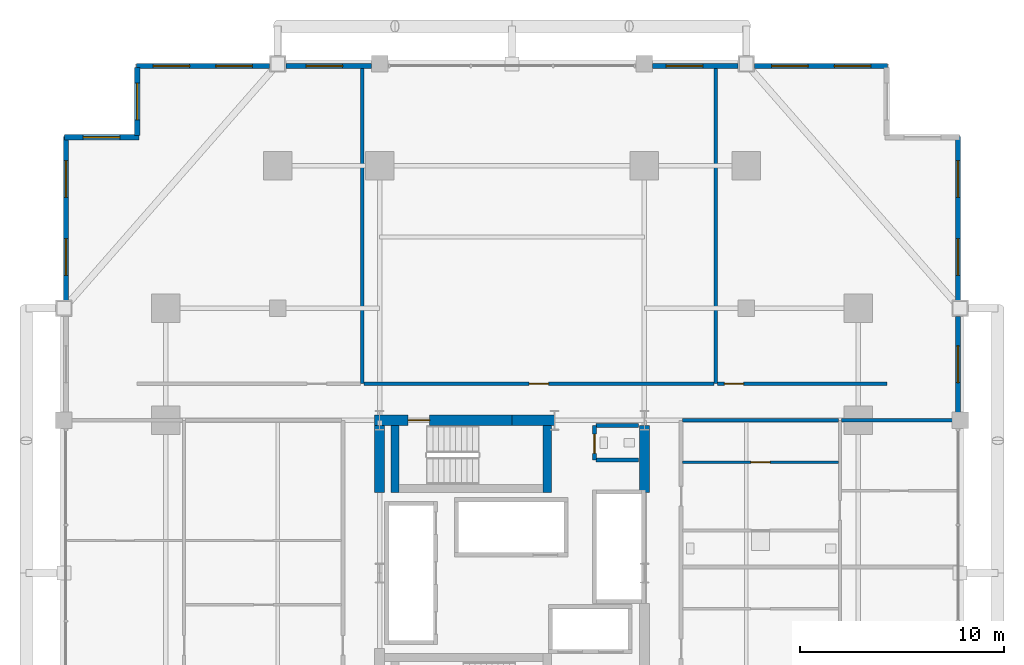
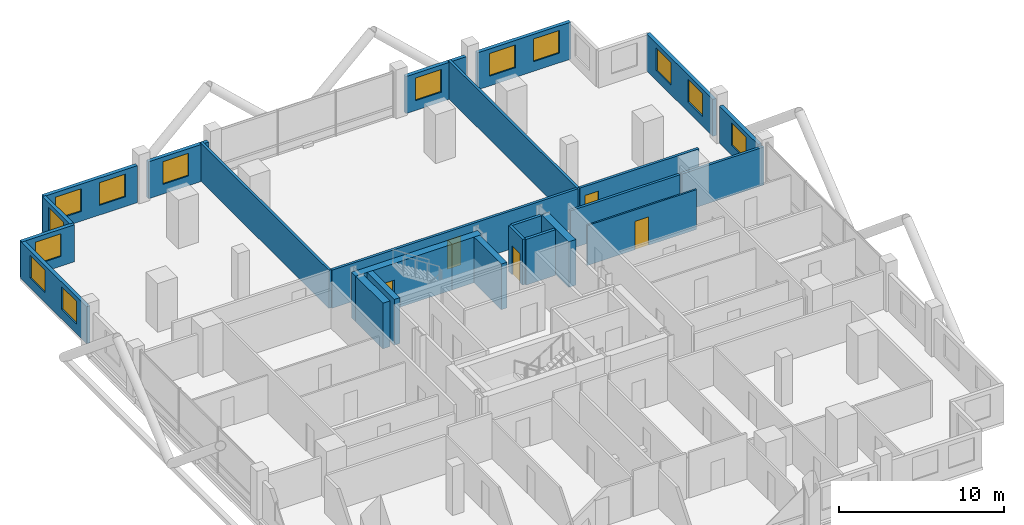
# One storey, part 24 of 27: 25 walls, 13 windows, 5 doors, 18 openings.
"""IFC4 building model written with IfcOpenShell, lengths in metres."""

from ifc_helpers import new_model, si_unit, direction, frame, frame_2d, origin, place, context, subcontext, project, spatial, rectangle, extrude, material, layer, layer_set, type_object, element, fill, save


model = new_model("IFC4")

# Units and contexts
model_context = context("Model", 3, precision=1e-05, world=origin(), true_north=direction((0.0, 1.0)))
body_context = subcontext(model_context, "Body", "Model", "MODEL_VIEW")
ifc_project = project(units=[si_unit("LENGTHUNIT", "METRE"), si_unit("AREAUNIT", "SQUARE_METRE"), si_unit("VOLUMEUNIT", "CUBIC_METRE"), si_unit("PLANEANGLEUNIT", "RADIAN"), si_unit("MASSUNIT", "GRAM", prefix="KILO")], contexts=[model_context])

# Site, building, storey
site_placement = place(None, origin())
site = spatial("IfcSite", under=ifc_project, at=site_placement, CompositionType="ELEMENT")
building_placement = place(site_placement, origin())
building = spatial("IfcBuilding", under=site, at=building_placement, Name="Barlavira Tower and Art Museum", CompositionType="ELEMENT")
storey_placement = place(building_placement, frame((0.0, 0.0, 72.0)))
storey = spatial("IfcBuildingStorey", under=building, at=storey_placement, Name="L17", CompositionType="ELEMENT", Elevation=72.0)

# Wall, opening, door
ifc_material_1 = material(Name="Gypsum acoustic stud partition", Category="gypsum")
ifc_layer_1 = layer(ifc_material_1, 0.1201171875, Name="Gypsum acoustic stud partition")
ifc_layer_set_1 = layer_set([ifc_layer_1], Name="Gypsum acoustic stud partition")
wall_type_1 = type_object("IfcWallType", Name="Apartment Internal Acoustic Partition 120", PredefinedType="PARTITIONING", material=ifc_layer_set_1)
wall_1_placement = place(storey_placement, frame((8.3798828125, 5.449951171875, 0.0), z_axis=(0.0, 0.0, 1.0), x_axis=(1.0, 0.0, 0.0)))
wall_1 = element("IfcWall", 1, at=wall_1_placement, inside=storey, type_object=wall_type_1, Name="L17 Partition Wall 52", PredefinedType="PARTITIONING", context=body_context, shape_type="SweptSolid", body=[
    extrude(rectangle(XDim=7.64013671875, YDim=0.1201171875, at=frame_2d((3.820068359375, 0.0))), origin(), (0.0, 0.0, 1.0), 2.947998046875),
])
opening_1_placement = place(wall_1_placement, frame((3.344970703125, 0.0, 0.0)))
opening_1 = element("IfcOpeningElement", 2, at=opening_1_placement, cuts=wall_1, Name="Opening D-02", PredefinedType="OPENING", context=body_context, shape_type="SweptSolid", body=[
    extrude(rectangle(XDim=0.949951171875, YDim=2.10009765625, at=frame_2d((0.47509765625, 1.050048828125))), frame((0.0, 0.070068359375, 0.0), z_axis=(0.0, -1.0, 0.0), x_axis=(1.0, 0.0, 0.0)), (0.0, 0.0, 1.0), 0.14013671875),
])
ifc_material_2 = material(Name="Engineered coastal hardwood", Category="wood")
door_type_1 = type_object("IfcDoorType", Name="Living and Salon Glazed-Leaf Door 950x2100", OperationType="NOTDEFINED", PredefinedType="DOOR", material=ifc_material_2)
door_1_placement = place(opening_1_placement, origin())
door_1 = element("IfcDoor", 3, at=door_1_placement, inside=storey, type_object=door_type_1, Name="Apartment E2 Kitchen Door", OperationType="SINGLE_SWING_LEFT", OverallHeight=2.10009765625, OverallWidth=0.949951171875, PredefinedType="DOOR", context=body_context, shape_type="SweptSolid", body=[
    extrude(rectangle(XDim=0.949951171875, YDim=2.10009765625, at=frame_2d((0.47509765625, 1.050048828125))), frame((0.0, 0.02490234375, 0.0), z_axis=(0.0, -1.0, 0.0), x_axis=(1.0, 0.0, 0.0)), (0.0, 0.0, 1.0), 0.050048828125),
])
fill(opening_1, door_1)

ifc_material_3 = material(Name="Concrete C60", Category="concrete")
ifc_layer_2 = layer(ifc_material_3, 0.5, Name="Concrete C60")
ifc_layer_set_2 = layer_set([ifc_layer_2], Name="Concrete C60")
wall_type_2 = type_object("IfcWallType", Name="Core Structural Shear Wall 500 Concrete C60", PredefinedType="SHEAR", material=ifc_layer_set_2)
wall_2_placement = place(storey_placement, frame((-6.75, 7.5, 0.0), z_axis=(0.0, 0.0, 1.0), x_axis=(1.0, 0.0, 0.0)))
wall_2 = element("IfcWall", 4, at=wall_2_placement, inside=storey, type_object=wall_type_2, Name="L17 Core Shear Wall CS-NW", PredefinedType="SHEAR", context=body_context, shape_type="SweptSolid", body=[
    extrude(rectangle(XDim=6.75, YDim=0.5, at=frame_2d((3.375, 0.0))), origin(), (0.0, 0.0, 1.0), 3.3798828125),
])
opening_2_placement = place(wall_2_placement, frame((1.64990234375, 0.0, 0.0)))
opening_2 = element("IfcOpeningElement", 5, at=opening_2_placement, cuts=wall_2, Name="Opening FD-90", PredefinedType="OPENING", context=body_context, shape_type="SweptSolid", body=[
    extrude(rectangle(XDim=1.050048828125, YDim=2.14990234375, at=frame_2d((0.52490234375, 1.074951171875))), frame((0.0, 0.260009765625, 0.0), z_axis=(0.0, -1.0, 0.0), x_axis=(1.0, 0.0, 0.0)), (0.0, 0.0, 1.0), 0.52001953125),
])
ifc_material_4 = material(Name="Brushed stainless steel", Category="steel")
door_type_2 = type_object("IfcDoorType", Name="Stair and Refuge Fire Door 1050x2150 FD90S", OperationType="NOTDEFINED", PredefinedType="DOOR", material=ifc_material_4)
door_2_placement = place(opening_2_placement, origin())
door_2 = element("IfcDoor", 6, at=door_2_placement, inside=storey, type_object=door_type_2, Name="L17 Stair ST-T2 Fire Door", OperationType="SINGLE_SWING_LEFT", OverallHeight=2.14990234375, OverallWidth=1.050048828125, PredefinedType="DOOR", context=body_context, shape_type="SweptSolid", body=[
    extrude(rectangle(XDim=1.050048828125, YDim=2.14990234375, at=frame_2d((0.52490234375, 1.074951171875))), frame((0.0, 0.02490234375, 0.0), z_axis=(0.0, -1.0, 0.0), x_axis=(1.0, 0.0, 0.0)), (0.0, 0.0, 1.0), 0.050048828125),
])
fill(opening_2, door_2)

# Walls
wall_3_placement = place(storey_placement, frame((0.0, 7.5, 0.0), z_axis=(0.0, 0.0, 1.0), x_axis=(1.0, 0.0, 0.0)))
element("IfcWall", 7, at=wall_3_placement, inside=storey, type_object=wall_type_2, Name="L17 Core Shear Wall CS-EN", PredefinedType="SHEAR", context=body_context, shape_type="SweptSolid", body=[
    extrude(rectangle(XDim=2.080078125, YDim=0.5, at=frame_2d((1.0400390625, 0.0))), origin(), (0.0, 0.0, 1.0), 3.3798828125),
])
for number, where, z_axis, x_axis, name in (
    (8, (-6.5, 3.949951171875, 0.0), (0.0, 0.0, 1.0), (0.0, 1.0, 0.0), "L17 Core Shear Wall CS-W2"),
    (9, (6.5, 3.949951171875, 0.0), (0.0, 0.0, 1.0), (0.0, 1.0, 0.0), "L17 Core Shear Wall CS-E2"),
):
    element("IfcWall", number, at=place(storey_placement, frame(where, z_axis=z_axis, x_axis=x_axis)), inside=storey, type_object=wall_type_2, Name=name, PredefinedType="SHEAR", context=body_context, shape_type="SweptSolid", body=[
        extrude(rectangle(XDim=3.300048828125, YDim=0.5, at=frame_2d((1.64990234375, 0.0))), origin(), (0.0, 0.0, 1.0), 3.3798828125),
    ])

# Wall, opening, door
ifc_material_5 = material(Name="Autoclaved aerated concrete masonry", Category="masonry")
ifc_layer_3 = layer(ifc_material_5, 0.199951171875, Name="Autoclaved aerated concrete masonry")
ifc_layer_set_3 = layer_set([ifc_layer_3], Name="Autoclaved aerated concrete masonry")
wall_type_3 = type_object("IfcWallType", Name="Fire Compartment and Shaft Wall 200", PredefinedType="SOLIDWALL", material=ifc_layer_set_3)
wall_4_placement = place(storey_placement, frame((4.050048828125, 5.550048828125, 0.0), z_axis=(0.0, 0.0, 1.0), x_axis=(0.0, 1.0, 0.0)))
wall_4 = element("IfcWall", 10, at=wall_4_placement, inside=storey, type_object=wall_type_3, Name="L17 Partition Wall 11", PredefinedType="SOLIDWALL", context=body_context, shape_type="SweptSolid", body=[
    extrude(rectangle(XDim=1.699951171875, YDim=0.199951171875, at=frame_2d((0.85009765625, 0.0))), origin(), (0.0, 0.0, 1.0), 3.3798828125),
])
opening_3_placement = place(wall_4_placement, frame((0.324951171875, 0.0, 0.0)))
opening_3 = element("IfcOpeningElement", 11, at=opening_3_placement, cuts=wall_4, Name="Opening FD-60", PredefinedType="OPENING", context=body_context, shape_type="SweptSolid", body=[
    extrude(rectangle(XDim=0.949951171875, YDim=2.14990234375, at=frame_2d((0.47509765625, 1.074951171875))), frame((0.0, 0.10986328125, 0.0), z_axis=(0.0, -1.0, 0.0), x_axis=(1.0, 0.0, 0.0)), (0.0, 0.0, 1.0), 0.219970703125),
])
door_type_3 = type_object("IfcDoorType", Name="Apartment Entrance and Riser Fire Door 950x2150 FD60S", OperationType="NOTDEFINED", PredefinedType="DOOR", material=ifc_material_4)
door_3_placement = place(opening_3_placement, origin())
door_3 = element("IfcDoor", 12, at=door_3_placement, inside=storey, type_object=door_type_3, Name="Core Accessible Washroom Door", OperationType="SINGLE_SWING_LEFT", OverallHeight=2.14990234375, OverallWidth=0.949951171875, PredefinedType="DOOR", context=body_context, shape_type="SweptSolid", body=[
    extrude(rectangle(XDim=0.949951171875, YDim=2.14990234375, at=frame_2d((0.47509765625, 1.074951171875))), frame((0.0, 0.02490234375, 0.0), z_axis=(0.0, -1.0, 0.0), x_axis=(1.0, 0.0, 0.0)), (0.0, 0.0, 1.0), 0.050048828125),
])
fill(opening_3, door_3)

# Walls
for number, where, z_axis, x_axis, name in (
    (13, (4.1298828125, 5.550048828125, 0.0), (0.0, 0.0, 1.0), (1.0, 0.0, 0.0), "L17 Partition Wall 53"),
    (14, (4.1298828125, 7.25, 0.0), (0.0, 0.0, 1.0), (1.0, 0.0, 0.0), "L17 Partition Wall 54"),
):
    element("IfcWall", number, at=place(storey_placement, frame(where, z_axis=z_axis, x_axis=x_axis)), inside=storey, type_object=wall_type_3, Name=name, PredefinedType="SOLIDWALL", context=body_context, shape_type="SweptSolid", body=[
        extrude(rectangle(XDim=2.070068359375, YDim=0.199951171875, at=frame_2d((1.03515625, 0.0))), origin(), (0.0, 0.0, 1.0), 3.3798828125),
    ])
ifc_layer_4 = layer(ifc_material_1, 0.179931640625, Name="Gypsum acoustic stud partition")
ifc_layer_set_4 = layer_set([ifc_layer_4], Name="Gypsum acoustic stud partition")
wall_type_4 = type_object("IfcWallType", Name="Inter-Tenancy Party Partition Wall 180", PredefinedType="PARTITIONING", material=ifc_layer_set_4)
for number, where, z_axis, x_axis, name in (
    (15, (-7.35009765625, 9.300048828125, 0.0), (0.0, 0.0, 1.0), (0.0, 1.0, 0.0), "L17 Partition Wall 6"),
    (16, (10.0, 9.300048828125, 0.0), (0.0, 0.0, 1.0), (0.0, 1.0, 0.0), "L17 Partition Wall 15"),
):
    element("IfcWall", number, at=place(storey_placement, frame(where, z_axis=z_axis, x_axis=x_axis)), inside=storey, type_object=wall_type_4, Name=name, PredefinedType="PARTITIONING", context=body_context, shape_type="SweptSolid", body=[
        extrude(rectangle(XDim=15.599853515625, YDim=0.179931640625, at=frame_2d((7.7998046875, 0.0))), origin(), (0.0, 0.0, 1.0), 2.81591796875),
    ])
wall_5_placement = place(storey_placement, frame((8.3798828125, 7.5, 0.0), z_axis=(0.0, 0.0, 1.0), x_axis=(1.0, 0.0, 0.0)))
element("IfcWall", 17, at=wall_5_placement, inside=storey, type_object=wall_type_4, Name="L17 Partition Wall 57", PredefinedType="PARTITIONING", context=body_context, shape_type="SweptSolid", body=[
    extrude(rectangle(XDim=7.64013671875, YDim=0.179931640625, at=frame_2d((3.820068359375, 0.0))), origin(), (0.0, 0.0, 1.0), 2.81591796875),
])
wall_6_placement = place(storey_placement, frame((16.179931640625, 7.5, 0.0), z_axis=(0.0, 0.0, 1.0), x_axis=(1.0, 0.0, 0.0)))
element("IfcWall", 18, at=wall_6_placement, inside=storey, type_object=wall_type_4, Name="L17 Partition Wall 58", PredefinedType="PARTITIONING", context=body_context, shape_type="SweptSolid", body=[
    extrude(rectangle(XDim=5.719970703125, YDim=0.179931640625, at=frame_2d((2.85986328125, 0.0))), origin(), (0.0, 0.0, 1.0), 2.81591796875),
])

# Wall, opening, door
wall_7_placement = place(storey_placement, frame((-7.27001953125, 9.300048828125, 0.0), z_axis=(0.0, 0.0, 1.0), x_axis=(1.0, 0.0, 0.0)))
wall_7 = element("IfcWall", 19, at=wall_7_placement, inside=storey, type_object=wall_type_4, Name="L17 Partition Wall 60", PredefinedType="PARTITIONING", context=body_context, shape_type="SweptSolid", body=[
    extrude(rectangle(XDim=17.18994140625, YDim=0.179931640625, at=frame_2d((8.594970703125, 0.0))), origin(), (0.0, 0.0, 1.0), 2.81591796875),
])
opening_4_placement = place(wall_7_placement, frame((8.114990234375, 0.0, 0.0)))
opening_4 = element("IfcOpeningElement", 20, at=opening_4_placement, cuts=wall_7, Name="Opening FD-60", PredefinedType="OPENING", context=body_context, shape_type="SweptSolid", body=[
    extrude(rectangle(XDim=0.949951171875, YDim=2.14990234375, at=frame_2d((0.47509765625, 1.074951171875))), frame((0.0, 0.10009765625, 0.0), z_axis=(0.0, -1.0, 0.0), x_axis=(1.0, 0.0, 0.0)), (0.0, 0.0, 1.0), 0.199951171875),
])
door_4_placement = place(opening_4_placement, origin())
door_4 = element("IfcDoor", 21, at=door_4_placement, inside=storey, type_object=door_type_3, Name="Private Coastal Dining Salon Door", OperationType="SINGLE_SWING_RIGHT", OverallHeight=2.14990234375, OverallWidth=0.949951171875, PredefinedType="DOOR", context=body_context, shape_type="SweptSolid", body=[
    extrude(rectangle(XDim=0.949951171875, YDim=2.14990234375, at=frame_2d((0.47509765625, 1.074951171875))), frame((0.0, 0.02490234375, 0.0), z_axis=(0.0, -1.0, 0.0), x_axis=(1.0, 0.0, 0.0)), (0.0, 0.0, 1.0), 0.050048828125),
])
fill(opening_4, door_4)

wall_8_placement = place(storey_placement, frame((10.080078125, 9.300048828125, 0.0), z_axis=(0.0, 0.0, 1.0), x_axis=(1.0, 0.0, 0.0)))
wall_8 = element("IfcWall", 22, at=wall_8_placement, inside=storey, type_object=wall_type_4, Name="L17 Partition Wall 61", PredefinedType="PARTITIONING", context=body_context, shape_type="SweptSolid", body=[
    extrude(rectangle(XDim=8.31982421875, YDim=0.179931640625, at=frame_2d((4.159912109375, 0.0))), origin(), (0.0, 0.0, 1.0), 2.81591796875),
])
opening_5_placement = place(wall_8_placement, frame((0.344970703125, 0.0, 0.0)))
opening_5 = element("IfcOpeningElement", 23, at=opening_5_placement, cuts=wall_8, Name="Opening FD-60", PredefinedType="OPENING", context=body_context, shape_type="SweptSolid", body=[
    extrude(rectangle(XDim=0.949951171875, YDim=2.14990234375, at=frame_2d((0.47509765625, 1.074951171875))), frame((0.0, 0.10009765625, 0.0), z_axis=(0.0, -1.0, 0.0), x_axis=(1.0, 0.0, 0.0)), (0.0, 0.0, 1.0), 0.199951171875),
])
door_5_placement = place(opening_5_placement, origin())
door_5 = element("IfcDoor", 24, at=door_5_placement, inside=storey, type_object=door_type_3, Name="Shared Catering Kitchen Door", OperationType="SINGLE_SWING_LEFT", OverallHeight=2.14990234375, OverallWidth=0.949951171875, PredefinedType="DOOR", context=body_context, shape_type="SweptSolid", body=[
    extrude(rectangle(XDim=0.949951171875, YDim=2.14990234375, at=frame_2d((0.47509765625, 1.074951171875))), frame((0.0, 0.02490234375, 0.0), z_axis=(0.0, -1.0, 0.0), x_axis=(1.0, 0.0, 0.0)), (0.0, 0.0, 1.0), 0.050048828125),
])
fill(opening_5, door_5)

# Wall, openings, windows
ifc_material_6 = material(Name="Precast concrete C40", Category="concrete")
ifc_layer_5 = layer(ifc_material_6, 0.25, Name="Precast concrete C40")
ifc_layer_set_5 = layer_set([ifc_layer_5], Name="Precast concrete C40")
wall_type_5 = type_object("IfcWallType", Name="Notched Corner Spandrel Wall 250 Precast Concrete C40", PredefinedType="SOLIDWALL", material=ifc_layer_set_5)
wall_9_placement = place(storey_placement, frame((18.425048828125, 24.89990234375, 0.0), z_axis=(0.0, 0.0, 1.0), x_axis=(-1.0, 0.0, 0.0)))
wall_9 = element("IfcWall", 25, at=wall_9_placement, inside=storey, type_object=wall_type_5, Name="L17 Coastal Facade Pier Wall CW1-L17-N-1", PredefinedType="SOLIDWALL", context=body_context, shape_type="SweptSolid", body=[
    extrude(rectangle(XDim=6.530029296875, YDim=0.25, at=frame_2d((3.26513671875, 0.0))), origin(), (0.0, 0.0, 1.0), 2.736083984375),
])
opening_6_placement = place(wall_9_placement, frame((0.801025390625, 0.0, 0.719970703125)))
opening_6 = element("IfcOpeningElement", 26, at=opening_6_placement, cuts=wall_9, Name="Opening WN-01", PredefinedType="OPENING", context=body_context, shape_type="SweptSolid", body=[
    extrude(rectangle(XDim=1.800048828125, YDim=1.679931640625, at=frame_2d((0.89990234375, 0.83984375))), frame((0.0, 0.135009765625, 0.0), z_axis=(0.0, -1.0, 0.0), x_axis=(1.0, 0.0, 0.0)), (0.0, 0.0, 1.0), 0.27001953125),
])
opening_7_placement = place(wall_9_placement, frame((3.884033203125, 0.0, 0.719970703125)))
opening_7 = element("IfcOpeningElement", 27, at=opening_7_placement, cuts=wall_9, Name="Opening WN-01", PredefinedType="OPENING", context=body_context, shape_type="SweptSolid", body=[
    extrude(rectangle(XDim=1.800048828125, YDim=1.679931640625, at=frame_2d((0.89990234375, 0.83984375))), frame((0.0, 0.135009765625, 0.0), z_axis=(0.0, -1.0, 0.0), x_axis=(1.0, 0.0, 0.0)), (0.0, 0.0, 1.0), 0.27001953125),
])
ifc_material_7 = material(Name="Low-iron coastal laminated glass", Category="glass")
window_type = type_object("IfcWindowType", Name="Recessed Notch Corner Punch Window 1800x1680", PartitioningType="SINGLE_PANEL", PredefinedType="WINDOW", material=ifc_material_7)
window_1_placement = place(opening_6_placement, origin())
window_1 = element("IfcWindow", 28, at=window_1_placement, inside=storey, type_object=window_type, Name="L17 Punched Facade Window EWP-CW1-L17-N-1-1", OverallHeight=1.679931640625, OverallWidth=1.800048828125, PartitioningType="SINGLE_PANEL", PredefinedType="WINDOW", context=body_context, shape_type="SweptSolid", body=[
    extrude(rectangle(XDim=1.800048828125, YDim=1.679931640625, at=frame_2d((0.89990234375, 0.83984375))), frame((0.0, 0.030029296875, 0.0), z_axis=(0.0, -1.0, 0.0), x_axis=(1.0, 0.0, 0.0)), (0.0, 0.0, 1.0), 0.06005859375),
])
fill(opening_6, window_1)
window_2_placement = place(opening_7_placement, origin())
window_2 = element("IfcWindow", 29, at=window_2_placement, inside=storey, type_object=window_type, Name="L17 Punched Facade Window EWP-CW1-L17-N-1-2", OverallHeight=1.679931640625, OverallWidth=1.800048828125, PartitioningType="SINGLE_PANEL", PredefinedType="WINDOW", context=body_context, shape_type="SweptSolid", body=[
    extrude(rectangle(XDim=1.800048828125, YDim=1.679931640625, at=frame_2d((0.89990234375, 0.83984375))), frame((0.0, 0.030029296875, 0.0), z_axis=(0.0, -1.0, 0.0), x_axis=(1.0, 0.0, 0.0)), (0.0, 0.0, 1.0), 0.06005859375),
])
fill(opening_7, window_2)

# Wall, opening, window
wall_10_placement = place(storey_placement, frame((11.10498046875, 24.89990234375, 0.0), z_axis=(0.0, 0.0, 1.0), x_axis=(-1.0, 0.0, 0.0)))
wall_10 = element("IfcWall", 30, at=wall_10_placement, inside=storey, type_object=wall_type_5, Name="L17 Coastal Facade Pier Wall CW1-L17-N-2", PredefinedType="SOLIDWALL", context=body_context, shape_type="SweptSolid", body=[
    extrude(rectangle(XDim=4.2099609375, YDim=0.25, at=frame_2d((2.10498046875, 0.0))), origin(), (0.0, 0.0, 1.0), 2.736083984375),
])
opening_8_placement = place(wall_10_placement, frame((1.735107421875, 0.0, 0.719970703125)))
opening_8 = element("IfcOpeningElement", 31, at=opening_8_placement, cuts=wall_10, Name="Opening WN-01", PredefinedType="OPENING", context=body_context, shape_type="SweptSolid", body=[
    extrude(rectangle(XDim=1.800048828125, YDim=1.679931640625, at=frame_2d((0.89990234375, 0.83984375))), frame((0.0, 0.135009765625, 0.0), z_axis=(0.0, -1.0, 0.0), x_axis=(1.0, 0.0, 0.0)), (0.0, 0.0, 1.0), 0.27001953125),
])
window_3_placement = place(opening_8_placement, origin())
window_3 = element("IfcWindow", 32, at=window_3_placement, inside=storey, type_object=window_type, Name="L17 Punched Facade Window EWP-CW1-L17-N-2-1", OverallHeight=1.679931640625, OverallWidth=1.800048828125, PartitioningType="SINGLE_PANEL", PredefinedType="WINDOW", context=body_context, shape_type="SweptSolid", body=[
    extrude(rectangle(XDim=1.800048828125, YDim=1.679931640625, at=frame_2d((0.89990234375, 0.83984375))), frame((0.0, 0.030029296875, 0.0), z_axis=(0.0, -1.0, 0.0), x_axis=(1.0, 0.0, 0.0)), (0.0, 0.0, 1.0), 0.06005859375),
])
fill(opening_8, window_3)

wall_11_placement = place(storey_placement, frame((-6.89501953125, 24.89990234375, 0.0), z_axis=(0.0, 0.0, 1.0), x_axis=(-1.0, 0.0, 0.0)))
wall_11 = element("IfcWall", 33, at=wall_11_placement, inside=storey, type_object=wall_type_5, Name="L17 Coastal Facade Pier Wall CW1-L17-N-4", PredefinedType="SOLIDWALL", context=body_context, shape_type="SweptSolid", body=[
    extrude(rectangle(XDim=4.2099609375, YDim=0.25, at=frame_2d((2.10498046875, 0.0))), origin(), (0.0, 0.0, 1.0), 2.736083984375),
])
opening_9_placement = place(wall_11_placement, frame((1.4150390625, 0.0, 0.719970703125)))
opening_9 = element("IfcOpeningElement", 34, at=opening_9_placement, cuts=wall_11, Name="Opening WN-01", PredefinedType="OPENING", context=body_context, shape_type="SweptSolid", body=[
    extrude(rectangle(XDim=1.800048828125, YDim=1.679931640625, at=frame_2d((0.89990234375, 0.83984375))), frame((0.0, 0.135009765625, 0.0), z_axis=(0.0, -1.0, 0.0), x_axis=(1.0, 0.0, 0.0)), (0.0, 0.0, 1.0), 0.27001953125),
])
window_4_placement = place(opening_9_placement, origin())
window_4 = element("IfcWindow", 35, at=window_4_placement, inside=storey, type_object=window_type, Name="L17 Punched Facade Window EWP-CW1-L17-N-4-1", OverallHeight=1.679931640625, OverallWidth=1.800048828125, PartitioningType="SINGLE_PANEL", PredefinedType="WINDOW", context=body_context, shape_type="SweptSolid", body=[
    extrude(rectangle(XDim=1.800048828125, YDim=1.679931640625, at=frame_2d((0.89990234375, 0.83984375))), frame((0.0, 0.030029296875, 0.0), z_axis=(0.0, -1.0, 0.0), x_axis=(1.0, 0.0, 0.0)), (0.0, 0.0, 1.0), 0.06005859375),
])
fill(opening_9, window_4)

# Wall, openings, windows
wall_12_placement = place(storey_placement, frame((-11.89501953125, 24.89990234375, 0.0), z_axis=(0.0, 0.0, 1.0), x_axis=(-1.0, 0.0, 0.0)))
wall_12 = element("IfcWall", 36, at=wall_12_placement, inside=storey, type_object=wall_type_5, Name="L17 Coastal Facade Pier Wall CW1-L17-N-5", PredefinedType="SOLIDWALL", context=body_context, shape_type="SweptSolid", body=[
    extrude(rectangle(XDim=6.530029296875, YDim=0.25, at=frame_2d((3.26513671875, 0.0))), origin(), (0.0, 0.0, 1.0), 2.736083984375),
])
opening_10_placement = place(wall_12_placement, frame((0.845947265625, 0.0, 0.719970703125)))
opening_10 = element("IfcOpeningElement", 37, at=opening_10_placement, cuts=wall_12, Name="Opening WN-01", PredefinedType="OPENING", context=body_context, shape_type="SweptSolid", body=[
    extrude(rectangle(XDim=1.800048828125, YDim=1.679931640625, at=frame_2d((0.89990234375, 0.83984375))), frame((0.0, 0.135009765625, 0.0), z_axis=(0.0, -1.0, 0.0), x_axis=(1.0, 0.0, 0.0)), (0.0, 0.0, 1.0), 0.27001953125),
])
opening_11_placement = place(wall_12_placement, frame((3.928955078125, 0.0, 0.719970703125)))
opening_11 = element("IfcOpeningElement", 38, at=opening_11_placement, cuts=wall_12, Name="Opening WN-01", PredefinedType="OPENING", context=body_context, shape_type="SweptSolid", body=[
    extrude(rectangle(XDim=1.800048828125, YDim=1.679931640625, at=frame_2d((0.89990234375, 0.83984375))), frame((0.0, 0.135009765625, 0.0), z_axis=(0.0, -1.0, 0.0), x_axis=(1.0, 0.0, 0.0)), (0.0, 0.0, 1.0), 0.27001953125),
])
window_5_placement = place(opening_10_placement, origin())
window_5 = element("IfcWindow", 39, at=window_5_placement, inside=storey, type_object=window_type, Name="L17 Punched Facade Window EWP-CW1-L17-N-5-1", OverallHeight=1.679931640625, OverallWidth=1.800048828125, PartitioningType="SINGLE_PANEL", PredefinedType="WINDOW", context=body_context, shape_type="SweptSolid", body=[
    extrude(rectangle(XDim=1.800048828125, YDim=1.679931640625, at=frame_2d((0.89990234375, 0.83984375))), frame((0.0, 0.030029296875, 0.0), z_axis=(0.0, -1.0, 0.0), x_axis=(1.0, 0.0, 0.0)), (0.0, 0.0, 1.0), 0.06005859375),
])
fill(opening_10, window_5)
window_6_placement = place(opening_11_placement, origin())
window_6 = element("IfcWindow", 40, at=window_6_placement, inside=storey, type_object=window_type, Name="L17 Punched Facade Window EWP-CW1-L17-N-5-2", OverallHeight=1.679931640625, OverallWidth=1.800048828125, PartitioningType="SINGLE_PANEL", PredefinedType="WINDOW", context=body_context, shape_type="SweptSolid", body=[
    extrude(rectangle(XDim=1.800048828125, YDim=1.679931640625, at=frame_2d((0.89990234375, 0.83984375))), frame((0.0, 0.030029296875, 0.0), z_axis=(0.0, -1.0, 0.0), x_axis=(1.0, 0.0, 0.0)), (0.0, 0.0, 1.0), 0.06005859375),
])
fill(opening_11, window_6)

wall_13_placement = place(storey_placement, frame((-21.89990234375, 21.425048828125, 0.0), z_axis=(0.0, 0.0, 1.0), x_axis=(0.0, -1.0, 0.0)))
wall_13 = element("IfcWall", 41, at=wall_13_placement, inside=storey, type_object=wall_type_5, Name="L17 Coastal Facade Pier Wall CW1-L17-W-1", PredefinedType="SOLIDWALL", context=body_context, shape_type="SweptSolid", body=[
    extrude(rectangle(XDim=8.030029296875, YDim=0.25, at=frame_2d((4.01513671875, 0.0))), origin(), (0.0, 0.0, 1.0), 2.736083984375),
])
opening_12_placement = place(wall_13_placement, frame((1.176025390625, 0.0, 0.719970703125)))
opening_12 = element("IfcOpeningElement", 42, at=opening_12_placement, cuts=wall_13, Name="Opening WN-01", PredefinedType="OPENING", context=body_context, shape_type="SweptSolid", body=[
    extrude(rectangle(XDim=1.800048828125, YDim=1.679931640625, at=frame_2d((0.89990234375, 0.83984375))), frame((0.0, 0.135009765625, 0.0), z_axis=(0.0, -1.0, 0.0), x_axis=(1.0, 0.0, 0.0)), (0.0, 0.0, 1.0), 0.27001953125),
])
opening_13_placement = place(wall_13_placement, frame((5.009033203125, 0.0, 0.719970703125)))
opening_13 = element("IfcOpeningElement", 43, at=opening_13_placement, cuts=wall_13, Name="Opening WN-01", PredefinedType="OPENING", context=body_context, shape_type="SweptSolid", body=[
    extrude(rectangle(XDim=1.800048828125, YDim=1.679931640625, at=frame_2d((0.89990234375, 0.83984375))), frame((0.0, 0.135009765625, 0.0), z_axis=(0.0, -1.0, 0.0), x_axis=(1.0, 0.0, 0.0)), (0.0, 0.0, 1.0), 0.27001953125),
])
window_7_placement = place(opening_12_placement, origin())
window_7 = element("IfcWindow", 44, at=window_7_placement, inside=storey, type_object=window_type, Name="L17 Punched Facade Window EWP-CW1-L17-W-1-1", OverallHeight=1.679931640625, OverallWidth=1.800048828125, PartitioningType="SINGLE_PANEL", PredefinedType="WINDOW", context=body_context, shape_type="SweptSolid", body=[
    extrude(rectangle(XDim=1.800048828125, YDim=1.679931640625, at=frame_2d((0.89990234375, 0.83984375))), frame((0.0, 0.030029296875, 0.0), z_axis=(0.0, -1.0, 0.0), x_axis=(1.0, 0.0, 0.0)), (0.0, 0.0, 1.0), 0.06005859375),
])
fill(opening_12, window_7)
window_8_placement = place(opening_13_placement, origin())
window_8 = element("IfcWindow", 45, at=window_8_placement, inside=storey, type_object=window_type, Name="L17 Punched Facade Window EWP-CW1-L17-W-1-2", OverallHeight=1.679931640625, OverallWidth=1.800048828125, PartitioningType="SINGLE_PANEL", PredefinedType="WINDOW", context=body_context, shape_type="SweptSolid", body=[
    extrude(rectangle(XDim=1.800048828125, YDim=1.679931640625, at=frame_2d((0.89990234375, 0.83984375))), frame((0.0, 0.030029296875, 0.0), z_axis=(0.0, -1.0, 0.0), x_axis=(1.0, 0.0, 0.0)), (0.0, 0.0, 1.0), 0.06005859375),
])
fill(opening_13, window_8)

# Wall, opening, window
wall_14_placement = place(storey_placement, frame((21.89990234375, 7.89501953125, 0.0), z_axis=(0.0, 0.0, 1.0), x_axis=(0.0, 1.0, 0.0)))
wall_14 = element("IfcWall", 46, at=wall_14_placement, inside=storey, type_object=wall_type_5, Name="L17 Coastal Facade Pier Wall CW1-L17-E-4", PredefinedType="SOLIDWALL", context=body_context, shape_type="SweptSolid", body=[
    extrude(rectangle(XDim=4.7099609375, YDim=0.25, at=frame_2d((2.35498046875, 0.0))), origin(), (0.0, 0.0, 1.0), 2.736083984375),
])
opening_14_placement = place(wall_14_placement, frame((1.455078125, 0.0, 0.719970703125)))
opening_14 = element("IfcOpeningElement", 47, at=opening_14_placement, cuts=wall_14, Name="Opening WN-01", PredefinedType="OPENING", context=body_context, shape_type="SweptSolid", body=[
    extrude(rectangle(XDim=1.800048828125, YDim=1.679931640625, at=frame_2d((0.89990234375, 0.83984375))), frame((0.0, 0.135009765625, 0.0), z_axis=(0.0, -1.0, 0.0), x_axis=(1.0, 0.0, 0.0)), (0.0, 0.0, 1.0), 0.27001953125),
])
window_9_placement = place(opening_14_placement, origin())
window_9 = element("IfcWindow", 48, at=window_9_placement, inside=storey, type_object=window_type, Name="L17 Punched Facade Window EWP-CW1-L17-E-4-1", OverallHeight=1.679931640625, OverallWidth=1.800048828125, PartitioningType="SINGLE_PANEL", PredefinedType="WINDOW", context=body_context, shape_type="SweptSolid", body=[
    extrude(rectangle(XDim=1.800048828125, YDim=1.679931640625, at=frame_2d((0.89990234375, 0.83984375))), frame((0.0, 0.030029296875, 0.0), z_axis=(0.0, -1.0, 0.0), x_axis=(1.0, 0.0, 0.0)), (0.0, 0.0, 1.0), 0.06005859375),
])
fill(opening_14, window_9)

# Wall, openings, windows
wall_15_placement = place(storey_placement, frame((21.89990234375, 13.39501953125, 0.0), z_axis=(0.0, 0.0, 1.0), x_axis=(0.0, 1.0, 0.0)))
wall_15 = element("IfcWall", 49, at=wall_15_placement, inside=storey, type_object=wall_type_5, Name="L17 Coastal Facade Pier Wall CW1-L17-E-5", PredefinedType="SOLIDWALL", context=body_context, shape_type="SweptSolid", body=[
    extrude(rectangle(XDim=8.030029296875, YDim=0.25, at=frame_2d((4.01513671875, 0.0))), origin(), (0.0, 0.0, 1.0), 2.736083984375),
])
opening_15_placement = place(wall_15_placement, frame((1.220947265625, 0.0, 0.719970703125)))
opening_15 = element("IfcOpeningElement", 50, at=opening_15_placement, cuts=wall_15, Name="Opening WN-01", PredefinedType="OPENING", context=body_context, shape_type="SweptSolid", body=[
    extrude(rectangle(XDim=1.800048828125, YDim=1.679931640625, at=frame_2d((0.89990234375, 0.83984375))), frame((0.0, 0.135009765625, 0.0), z_axis=(0.0, -1.0, 0.0), x_axis=(1.0, 0.0, 0.0)), (0.0, 0.0, 1.0), 0.27001953125),
])
opening_16_placement = place(wall_15_placement, frame((5.053955078125, 0.0, 0.719970703125)))
opening_16 = element("IfcOpeningElement", 51, at=opening_16_placement, cuts=wall_15, Name="Opening WN-01", PredefinedType="OPENING", context=body_context, shape_type="SweptSolid", body=[
    extrude(rectangle(XDim=1.800048828125, YDim=1.679931640625, at=frame_2d((0.89990234375, 0.83984375))), frame((0.0, 0.135009765625, 0.0), z_axis=(0.0, -1.0, 0.0), x_axis=(1.0, 0.0, 0.0)), (0.0, 0.0, 1.0), 0.27001953125),
])
window_10_placement = place(opening_15_placement, origin())
window_10 = element("IfcWindow", 52, at=window_10_placement, inside=storey, type_object=window_type, Name="L17 Punched Facade Window EWP-CW1-L17-E-5-1", OverallHeight=1.679931640625, OverallWidth=1.800048828125, PartitioningType="SINGLE_PANEL", PredefinedType="WINDOW", context=body_context, shape_type="SweptSolid", body=[
    extrude(rectangle(XDim=1.800048828125, YDim=1.679931640625, at=frame_2d((0.89990234375, 0.83984375))), frame((0.0, 0.030029296875, 0.0), z_axis=(0.0, -1.0, 0.0), x_axis=(1.0, 0.0, 0.0)), (0.0, 0.0, 1.0), 0.06005859375),
])
fill(opening_15, window_10)
window_11_placement = place(opening_16_placement, origin())
window_11 = element("IfcWindow", 53, at=window_11_placement, inside=storey, type_object=window_type, Name="L17 Punched Facade Window EWP-CW1-L17-E-5-2", OverallHeight=1.679931640625, OverallWidth=1.800048828125, PartitioningType="SINGLE_PANEL", PredefinedType="WINDOW", context=body_context, shape_type="SweptSolid", body=[
    extrude(rectangle(XDim=1.800048828125, YDim=1.679931640625, at=frame_2d((0.89990234375, 0.83984375))), frame((0.0, 0.030029296875, 0.0), z_axis=(0.0, -1.0, 0.0), x_axis=(1.0, 0.0, 0.0)), (0.0, 0.0, 1.0), 0.06005859375),
])
fill(opening_16, window_11)

# Wall, opening, window
wall_16_placement = place(storey_placement, frame((-18.39990234375, 24.820068359375, 0.0), z_axis=(0.0, 0.0, 1.0), x_axis=(0.0, -1.0, 0.0)))
wall_16 = element("IfcWall", 54, at=wall_16_placement, inside=storey, type_object=wall_type_5, Name="L17 Notch Corner Wall NW1", PredefinedType="SOLIDWALL", context=body_context, shape_type="SweptSolid", body=[
    extrude(rectangle(XDim=3.340087890625, YDim=0.25, at=frame_2d((1.669921875, 0.0))), origin(), (0.0, 0.0, 1.0), 2.736083984375),
])
opening_17_placement = place(wall_16_placement, frame((0.77001953125, 0.0, 0.719970703125)))
opening_17 = element("IfcOpeningElement", 55, at=opening_17_placement, cuts=wall_16, Name="Opening WN-01", PredefinedType="OPENING", context=body_context, shape_type="SweptSolid", body=[
    extrude(rectangle(XDim=1.800048828125, YDim=1.679931640625, at=frame_2d((0.89990234375, 0.83984375))), frame((0.0, 0.135009765625, 0.0), z_axis=(0.0, -1.0, 0.0), x_axis=(1.0, 0.0, 0.0)), (0.0, 0.0, 1.0), 0.27001953125),
])
window_12_placement = place(opening_17_placement, origin())
window_12 = element("IfcWindow", 56, at=window_12_placement, inside=storey, type_object=window_type, Name="L17 Punched Facade Window EW-NTC-L17-NW1-1", OverallHeight=1.679931640625, OverallWidth=1.800048828125, PartitioningType="SINGLE_PANEL", PredefinedType="WINDOW", context=body_context, shape_type="SweptSolid", body=[
    extrude(rectangle(XDim=1.800048828125, YDim=1.679931640625, at=frame_2d((0.89990234375, 0.83984375))), frame((0.0, 0.030029296875, 0.0), z_axis=(0.0, -1.0, 0.0), x_axis=(1.0, 0.0, 0.0)), (0.0, 0.0, 1.0), 0.06005859375),
])
fill(opening_17, window_12)

wall_17_placement = place(storey_placement, frame((-18.320068359375, 21.39990234375, 0.0), z_axis=(0.0, 0.0, 1.0), x_axis=(-1.0, 0.0, 0.0)))
wall_17 = element("IfcWall", 57, at=wall_17_placement, inside=storey, type_object=wall_type_5, Name="L17 Notch Corner Wall NW2", PredefinedType="SOLIDWALL", context=body_context, shape_type="SweptSolid", body=[
    extrude(rectangle(XDim=3.659912109375, YDim=0.25, at=frame_2d((1.830078125, 0.0))), origin(), (0.0, 0.0, 1.0), 2.736083984375),
])
opening_18_placement = place(wall_17_placement, frame((0.929931640625, 0.0, 0.719970703125)))
opening_18 = element("IfcOpeningElement", 58, at=opening_18_placement, cuts=wall_17, Name="Opening WN-01", PredefinedType="OPENING", context=body_context, shape_type="SweptSolid", body=[
    extrude(rectangle(XDim=1.800048828125, YDim=1.679931640625, at=frame_2d((0.89990234375, 0.83984375))), frame((0.0, 0.135009765625, 0.0), z_axis=(0.0, -1.0, 0.0), x_axis=(1.0, 0.0, 0.0)), (0.0, 0.0, 1.0), 0.27001953125),
])
window_13_placement = place(opening_18_placement, origin())
window_13 = element("IfcWindow", 59, at=window_13_placement, inside=storey, type_object=window_type, Name="L17 Punched Facade Window EW-NTC-L17-NW2-1", OverallHeight=1.679931640625, OverallWidth=1.800048828125, PartitioningType="SINGLE_PANEL", PredefinedType="WINDOW", context=body_context, shape_type="SweptSolid", body=[
    extrude(rectangle(XDim=1.800048828125, YDim=1.679931640625, at=frame_2d((0.89990234375, 0.83984375))), frame((0.0, 0.030029296875, 0.0), z_axis=(0.0, -1.0, 0.0), x_axis=(1.0, 0.0, 0.0)), (0.0, 0.0, 1.0), 0.06005859375),
])
fill(opening_18, window_13)

# Walls
ifc_material_8 = material(Name="Concrete C55", Category="concrete")
ifc_layer_6 = layer(ifc_material_8, 0.39990234375, Name="Concrete C55")
ifc_layer_set_6 = layer_set([ifc_layer_6], Name="Concrete C55")
wall_type_6 = type_object("IfcWallType", Name="Upper Core Shear Wall 400 Concrete C55", PredefinedType="SHEAR", material=ifc_layer_set_6)
for number, where, z_axis, x_axis, name in (
    (60, (1.72998046875, 3.949951171875, 0.0), (0.0, 0.0, 1.0), (0.0, 1.0, 0.0), "L17 ST-T2 East Half-Landing Wall"),
    (61, (-5.75, 3.949951171875, 0.0), (0.0, 0.0, 1.0), (0.0, 1.0, 0.0), "L17 ST-T2 West Shaft Wall"),
):
    element("IfcWall", number, at=place(storey_placement, frame(where, z_axis=z_axis, x_axis=x_axis)), inside=storey, type_object=wall_type_6, Name=name, PredefinedType="SHEAR", context=body_context, shape_type="SweptSolid", body=[
        extrude(rectangle(XDim=3.300048828125, YDim=0.39990234375, at=frame_2d((1.64990234375, 0.0))), origin(), (0.0, 0.0, 1.0), 3.3798828125),
    ])

save(model, "model.ifc")
